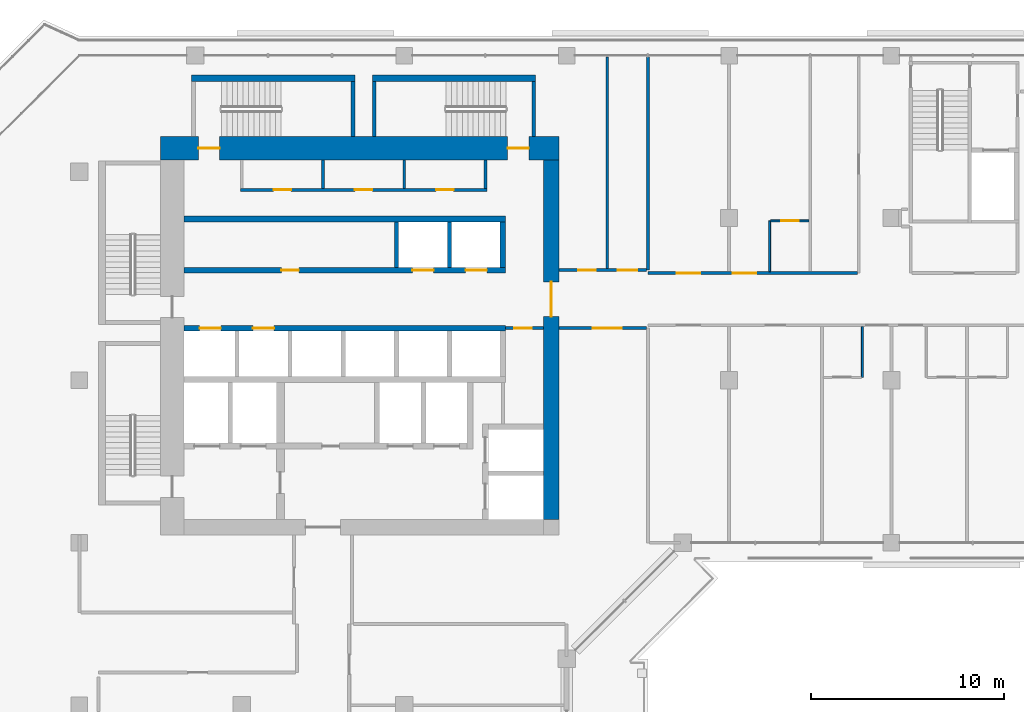
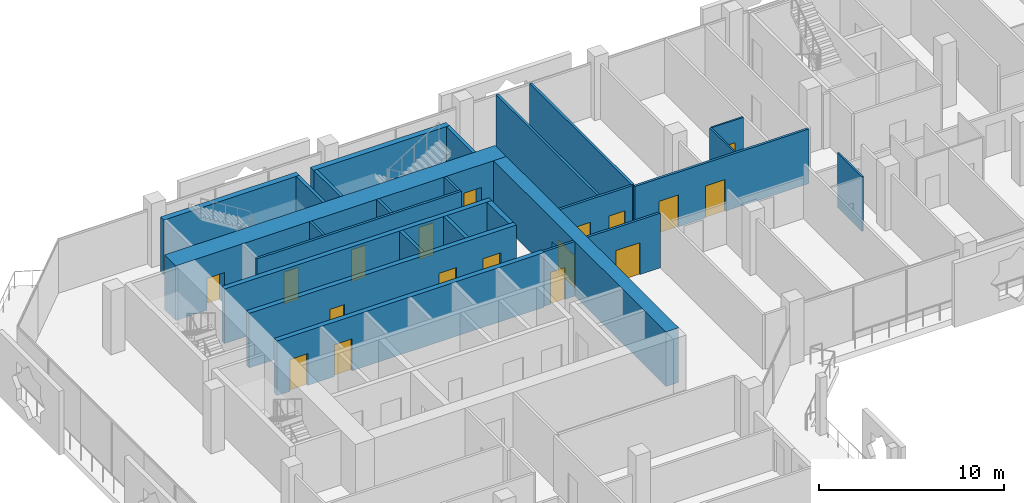
# One storey, part 12 of 21: 26 walls, 18 doors, 18 openings.
"""IFC4 building model written with IfcOpenShell, lengths in metres."""

from ifc_helpers import new_model, si_unit, direction, frame, frame_2d, origin, place, context, subcontext, project, spatial, rectangle, extrude, material, layer, layer_set, type_object, element, fill, save


model = new_model("IFC4")

# Units and contexts
model_context = context("Model", 3, precision=1e-05, world=origin(), true_north=direction((0.0, 1.0)))
body_context = subcontext(model_context, "Body", "Model", "MODEL_VIEW")
ifc_project = project(units=[si_unit("LENGTHUNIT", "METRE"), si_unit("AREAUNIT", "SQUARE_METRE"), si_unit("VOLUMEUNIT", "CUBIC_METRE"), si_unit("PLANEANGLEUNIT", "RADIAN"), si_unit("MASSUNIT", "GRAM", prefix="KILO")], contexts=[model_context])

# Site, building, storey
site_placement = place(None, origin())
site = spatial("IfcSite", under=ifc_project, at=site_placement, CompositionType="ELEMENT")
building_placement = place(site_placement, origin())
building = spatial("IfcBuilding", under=site, at=building_placement, Name="Kawkab Arch Medical Tower", CompositionType="ELEMENT")
storey_placement = place(building_placement, frame((0.0, 0.0, 230.60009765625)))
storey = spatial("IfcBuildingStorey", under=building, at=storey_placement, Name="L53", CompositionType="ELEMENT", Elevation=230.60009765625)

# Wall, openings, doors
ifc_material_1 = material(Name="Concrete C50/60", Category="concrete")
ifc_layer_1 = layer(ifc_material_1, 1.199951171875)
ifc_layer_set_1 = layer_set([ifc_layer_1], Name="Concrete C50/60")
wall_type_1 = type_object("IfcWallType", Name="Core ring wall 1200 C50/60", PredefinedType="SHEAR", material=ifc_layer_set_1)
wall_1_placement = place(storey_placement, frame((4.199951171875, -4.800048828125, 0.0), z_axis=(0.0, 0.0, 1.0), x_axis=(1.0, 0.0, 0.0)))
wall_1 = element("IfcWall", 1, at=wall_1_placement, inside=storey, type_object=wall_type_1, Name="L53 core wall", PredefinedType="SHEAR", context=body_context, shape_type="SweptSolid", body=[
    extrude(rectangle(XDim=20.60009765625, YDim=1.199951171875, at=frame_2d((10.300048828125, 0.0))), origin(), (0.0, 0.0, 1.0), 3.599853515625),
])
opening_1_placement = place(wall_1_placement, frame((1.949951171875, 0.0, 0.0)))
opening_1 = element("IfcOpeningElement", 2, at=opening_1_placement, cuts=wall_1, Name="Opening SD", PredefinedType="OPENING", context=body_context, shape_type="SweptSolid", body=[
    extrude(rectangle(XDim=1.10009765625, YDim=2.10009765625, at=frame_2d((0.550048828125, 1.050048828125))), frame((0.0, 0.60986328125, 0.0), z_axis=(0.0, -1.0, 0.0), x_axis=(1.0, 0.0, 0.0)), (0.0, 0.0, 1.0), 1.219970703125),
])
opening_2_placement = place(wall_1_placement, frame((17.949951171875, 0.0, 0.0)))
opening_2 = element("IfcOpeningElement", 3, at=opening_2_placement, cuts=wall_1, Name="Opening SD", PredefinedType="OPENING", context=body_context, shape_type="SweptSolid", body=[
    extrude(rectangle(XDim=1.10009765625, YDim=2.10009765625, at=frame_2d((0.550048828125, 1.050048828125))), frame((0.0, 0.60986328125, 0.0), z_axis=(0.0, -1.0, 0.0), x_axis=(1.0, 0.0, 0.0)), (0.0, 0.0, 1.0), 1.219970703125),
])
ifc_material_2 = material(Name="Hollow metal fire door leaf")
door_type_1 = type_object("IfcDoorType", Name="Exit stair door 1100", OperationType="SINGLE_SWING_LEFT", PredefinedType="DOOR", material=ifc_material_2)
door_1_placement = place(opening_1_placement, origin())
door_1 = element("IfcDoor", 4, at=door_1_placement, inside=storey, type_object=door_type_1, Name="L53 Exit stair ST3 door", OperationType="SINGLE_SWING_LEFT", OverallHeight=2.10009765625, OverallWidth=1.10009765625, PredefinedType="DOOR", context=body_context, shape_type="SweptSolid", body=[
    extrude(rectangle(XDim=1.10009765625, YDim=2.10009765625, at=frame_2d((0.550048828125, 1.050048828125))), frame((0.0, 0.02490234375, 0.0), z_axis=(0.0, -1.0, 0.0), x_axis=(1.0, 0.0, 0.0)), (0.0, 0.0, 1.0), 0.050048828125),
])
fill(opening_1, door_1)
door_2_placement = place(opening_2_placement, origin())
door_2 = element("IfcDoor", 5, at=door_2_placement, inside=storey, type_object=door_type_1, Name="L53 Exit stair ST4 door", OperationType="SINGLE_SWING_LEFT", OverallHeight=2.10009765625, OverallWidth=1.10009765625, PredefinedType="DOOR", context=body_context, shape_type="SweptSolid", body=[
    extrude(rectangle(XDim=1.10009765625, YDim=2.10009765625, at=frame_2d((0.550048828125, 1.050048828125))), frame((0.0, 0.02490234375, 0.0), z_axis=(0.0, -1.0, 0.0), x_axis=(1.0, 0.0, 0.0)), (0.0, 0.0, 1.0), 0.050048828125),
])
fill(opening_2, door_2)

# Wall, opening, door
ifc_material_3 = material(Name="Concrete C50/60", Category="concrete")
ifc_layer_2 = layer(ifc_material_3, 0.800048828125)
ifc_layer_set_2 = layer_set([ifc_layer_2], Name="Concrete C50/60")
wall_type_2 = type_object("IfcWallType", Name="Core ring wall 800 C50/60", PredefinedType="SHEAR", material=ifc_layer_set_2)
wall_2_placement = place(storey_placement, frame((24.39990234375, -24.0, 0.0), z_axis=(0.0, 0.0, 1.0), x_axis=(0.0, 1.0, 0.0)))
wall_2 = element("IfcWall", 6, at=wall_2_placement, inside=storey, type_object=wall_type_2, Name="L53 core wall", PredefinedType="SHEAR", context=body_context, shape_type="SweptSolid", body=[
    extrude(rectangle(XDim=18.60009765625, YDim=0.800048828125, at=frame_2d((9.300048828125, 0.0))), origin(), (0.0, 0.0, 1.0), 3.599853515625),
])
opening_3_placement = place(wall_2_placement, frame((10.5, 0.0, 0.0)))
opening_3 = element("IfcOpeningElement", 7, at=opening_3_placement, cuts=wall_2, Name="Opening PD", PredefinedType="OPENING", context=body_context, shape_type="SweptSolid", body=[
    extrude(rectangle(XDim=1.800048828125, YDim=2.10009765625, at=frame_2d((0.89990234375, 1.050048828125))), frame((0.0, 0.409912109375, 0.0), z_axis=(0.0, -1.0, 0.0), x_axis=(1.0, 0.0, 0.0)), (0.0, 0.0, 1.0), 0.820068359375),
])
ifc_material_4 = material(Name="Hollow metal fire door leaf")
door_type_2 = type_object("IfcDoorType", Name="Core entrance doors 1800", OperationType="DOUBLE_DOOR_SINGLE_SWING", PredefinedType="DOOR", material=ifc_material_4)
door_3_placement = place(opening_3_placement, origin())
door_3 = element("IfcDoor", 8, at=door_3_placement, inside=storey, type_object=door_type_2, Name="L53 East entrance doors", OperationType="DOUBLE_DOOR_SINGLE_SWING", OverallHeight=2.10009765625, OverallWidth=1.800048828125, PredefinedType="DOOR", context=body_context, shape_type="SweptSolid", body=[
    extrude(rectangle(XDim=1.800048828125, YDim=2.10009765625, at=frame_2d((0.89990234375, 1.050048828125))), frame((0.0, 0.02490234375, 0.0), z_axis=(0.0, -1.0, 0.0), x_axis=(1.0, 0.0, 0.0)), (0.0, 0.0, 1.0), 0.050048828125),
])
fill(opening_3, door_3)

ifc_material_5 = material(Name="Gypsum board on steel studs", Category="steel")
ifc_layer_3 = layer(ifc_material_5, 0.14990234375)
ifc_layer_set_3 = layer_set([ifc_layer_3], Name="Gypsum board on steel studs")
wall_type_3 = type_object("IfcWallType", Name="Core room partition 150", PredefinedType="PARTITIONING", material=ifc_layer_set_3)
wall_3_placement = place(storey_placement, frame((22.050048828125, -14.10009765625, 0.0), z_axis=(0.0, 0.0, 1.0), x_axis=(1.0, 0.0, 0.0)))
wall_3 = element("IfcWall", 9, at=wall_3_placement, inside=storey, type_object=wall_type_3, Name="L53 core room partition", PredefinedType="PARTITIONING", context=body_context, shape_type="SweptSolid", body=[
    extrude(rectangle(XDim=1.949951171875, YDim=0.14990234375, at=frame_2d((0.97509765625, 0.0))), origin(), (0.0, 0.0, 1.0), 3.599853515625),
])
opening_4_placement = place(wall_3_placement, frame((0.449951171875, 0.0, 0.0)))
opening_4 = element("IfcOpeningElement", 10, at=opening_4_placement, cuts=wall_3, Name="Opening RD", PredefinedType="OPENING", context=body_context, shape_type="SweptSolid", body=[
    extrude(rectangle(XDim=0.89990234375, YDim=2.10009765625, at=frame_2d((0.449951171875, 1.050048828125))), frame((0.0, 0.0849609375, 0.0), z_axis=(0.0, -1.0, 0.0), x_axis=(1.0, 0.0, 0.0)), (0.0, 0.0, 1.0), 0.169921875),
])
ifc_material_6 = material(Name="Hollow metal fire door leaf")
door_type_3 = type_object("IfcDoorType", Name="Core room door 900", OperationType="SINGLE_SWING_LEFT", PredefinedType="DOOR", material=ifc_material_6)
door_4_placement = place(opening_4_placement, origin())
door_4 = element("IfcDoor", 11, at=door_4_placement, inside=storey, type_object=door_type_3, Name="L53 Clean utility room door", OperationType="SINGLE_SWING_LEFT", OverallHeight=2.10009765625, OverallWidth=0.89990234375, PredefinedType="DOOR", context=body_context, shape_type="SweptSolid", body=[
    extrude(rectangle(XDim=0.89990234375, YDim=2.10009765625, at=frame_2d((0.449951171875, 1.050048828125))), frame((0.0, 0.02490234375, 0.0), z_axis=(0.0, -1.0, 0.0), x_axis=(1.0, 0.0, 0.0)), (0.0, 0.0, 1.0), 0.050048828125),
])
fill(opening_4, door_4)

# Wall, openings, doors
wall_4_placement = place(storey_placement, frame((8.324951171875, -6.949951171875, 0.0), z_axis=(0.0, 0.0, 1.0), x_axis=(1.0, 0.0, 0.0)))
wall_4 = element("IfcWall", 12, at=wall_4_placement, inside=storey, type_object=wall_type_3, Name="L53 core room partition", PredefinedType="PARTITIONING", context=body_context, shape_type="SweptSolid", body=[
    extrude(rectangle(XDim=12.75, YDim=0.14990234375, at=frame_2d((6.375, 0.0))), origin(), (0.0, 0.0, 1.0), 3.599853515625),
])
opening_5_placement = place(wall_4_placement, frame((1.72509765625, 0.0, 0.0)))
opening_5 = element("IfcOpeningElement", 13, at=opening_5_placement, cuts=wall_4, Name="Opening RD", PredefinedType="OPENING", context=body_context, shape_type="SweptSolid", body=[
    extrude(rectangle(XDim=0.89990234375, YDim=2.10009765625, at=frame_2d((0.449951171875, 1.050048828125))), frame((0.0, 0.0849609375, 0.0), z_axis=(0.0, -1.0, 0.0), x_axis=(1.0, 0.0, 0.0)), (0.0, 0.0, 1.0), 0.169921875),
])
opening_6_placement = place(wall_4_placement, frame((5.925048828125, 0.0, 0.0)))
opening_6 = element("IfcOpeningElement", 14, at=opening_6_placement, cuts=wall_4, Name="Opening RD", PredefinedType="OPENING", context=body_context, shape_type="SweptSolid", body=[
    extrude(rectangle(XDim=0.89990234375, YDim=2.10009765625, at=frame_2d((0.449951171875, 1.050048828125))), frame((0.0, 0.0849609375, 0.0), z_axis=(0.0, -1.0, 0.0), x_axis=(1.0, 0.0, 0.0)), (0.0, 0.0, 1.0), 0.169921875),
])
opening_7_placement = place(wall_4_placement, frame((10.125, 0.0, 0.0)))
opening_7 = element("IfcOpeningElement", 15, at=opening_7_placement, cuts=wall_4, Name="Opening RD", PredefinedType="OPENING", context=body_context, shape_type="SweptSolid", body=[
    extrude(rectangle(XDim=0.89990234375, YDim=2.10009765625, at=frame_2d((0.449951171875, 1.050048828125))), frame((0.0, 0.0849609375, 0.0), z_axis=(0.0, -1.0, 0.0), x_axis=(1.0, 0.0, 0.0)), (0.0, 0.0, 1.0), 0.169921875),
])
door_5_placement = place(opening_5_placement, origin())
door_5 = element("IfcDoor", 16, at=door_5_placement, inside=storey, type_object=door_type_3, Name="L53 Electrical riser room door", OperationType="SINGLE_SWING_LEFT", OverallHeight=2.10009765625, OverallWidth=0.89990234375, PredefinedType="DOOR", context=body_context, shape_type="SweptSolid", body=[
    extrude(rectangle(XDim=0.89990234375, YDim=2.10009765625, at=frame_2d((0.449951171875, 1.050048828125))), frame((0.0, 0.02490234375, 0.0), z_axis=(0.0, -1.0, 0.0), x_axis=(1.0, 0.0, 0.0)), (0.0, 0.0, 1.0), 0.050048828125),
])
fill(opening_5, door_5)
door_6_placement = place(opening_6_placement, origin())
door_6 = element("IfcDoor", 17, at=door_6_placement, inside=storey, type_object=door_type_3, Name="L53 Equipment store door", OperationType="SINGLE_SWING_LEFT", OverallHeight=2.10009765625, OverallWidth=0.89990234375, PredefinedType="DOOR", context=body_context, shape_type="SweptSolid", body=[
    extrude(rectangle(XDim=0.89990234375, YDim=2.10009765625, at=frame_2d((0.449951171875, 1.050048828125))), frame((0.0, 0.02490234375, 0.0), z_axis=(0.0, -1.0, 0.0), x_axis=(1.0, 0.0, 0.0)), (0.0, 0.0, 1.0), 0.050048828125),
])
fill(opening_6, door_6)
door_7_placement = place(opening_7_placement, origin())
door_7 = element("IfcDoor", 18, at=door_7_placement, inside=storey, type_object=door_type_3, Name="L53 Sprinkler valve room door", OperationType="SINGLE_SWING_LEFT", OverallHeight=2.10009765625, OverallWidth=0.89990234375, PredefinedType="DOOR", context=body_context, shape_type="SweptSolid", body=[
    extrude(rectangle(XDim=0.89990234375, YDim=2.10009765625, at=frame_2d((0.449951171875, 1.050048828125))), frame((0.0, 0.02490234375, 0.0), z_axis=(0.0, -1.0, 0.0), x_axis=(1.0, 0.0, 0.0)), (0.0, 0.0, 1.0), 0.050048828125),
])
fill(opening_7, door_7)

# Walls
for number, where, z_axis, x_axis, name in (
    (19, (12.60009765625, -6.875, 0.0), (0.0, 0.0, 1.0), (0.0, 1.0, 0.0), "L53 core room partition"),
    (20, (16.800048828125, -6.875, 0.0), (0.0, 0.0, 1.0), (0.0, 1.0, 0.0), "L53 core room partition"),
    (21, (21.0, -6.875, 0.0), (0.0, 0.0, 1.0), (0.0, 1.0, 0.0), "L53 core room partition"),
):
    element("IfcWall", number, at=place(storey_placement, frame(where, z_axis=z_axis, x_axis=x_axis)), inside=storey, type_object=wall_type_3, Name=name, PredefinedType="PARTITIONING", context=body_context, shape_type="SweptSolid", body=[
        extrude(rectangle(XDim=1.47509765625, YDim=0.14990234375, at=frame_2d((0.737548828125, 0.0))), origin(), (0.0, 0.0, 1.0), 3.599853515625),
    ])
ifc_material_7 = material(Name="Concrete C60/75", Category="concrete")
ifc_layer_4 = layer(ifc_material_7, 0.300048828125)
ifc_layer_set_4 = layer_set([ifc_layer_4], Name="Concrete C60/75")
wall_type_4 = type_object("IfcWallType", Name="Core shear wall 300 C60/75", PredefinedType="SHEAR", material=ifc_layer_set_4)
wall_5_placement = place(storey_placement, frame((5.39990234375, -8.449951171875, 0.0), z_axis=(0.0, 0.0, 1.0), x_axis=(1.0, 0.0, 0.0)))
element("IfcWall", 22, at=wall_5_placement, inside=storey, type_object=wall_type_4, Name="L53 core shear wall", PredefinedType="SHEAR", context=body_context, shape_type="SweptSolid", body=[
    extrude(rectangle(XDim=16.650146484375, YDim=0.300048828125, at=frame_2d((8.3251953125, 0.0))), origin(), (0.0, 0.0, 1.0), 3.599853515625),
])

# Wall, openings, doors
wall_6_placement = place(storey_placement, frame((5.39990234375, -11.10009765625, 0.0), z_axis=(0.0, 0.0, 1.0), x_axis=(1.0, 0.0, 0.0)))
wall_6 = element("IfcWall", 23, at=wall_6_placement, inside=storey, type_object=wall_type_4, Name="L53 core shear wall", PredefinedType="SHEAR", context=body_context, shape_type="SweptSolid", body=[
    extrude(rectangle(XDim=16.650146484375, YDim=0.300048828125, at=frame_2d((8.3251953125, 0.0))), origin(), (0.0, 0.0, 1.0), 3.599853515625),
])
opening_8_placement = place(wall_6_placement, frame((11.824951171875, 0.0, 0.0)))
opening_8 = element("IfcOpeningElement", 24, at=opening_8_placement, cuts=wall_6, Name="Opening LD1", PredefinedType="OPENING", context=body_context, shape_type="SweptSolid", body=[
    extrude(rectangle(XDim=1.10009765625, YDim=2.10009765625, at=frame_2d((0.550048828125, 1.050048828125))), frame((0.0, 0.159912109375, 0.0), z_axis=(0.0, -1.0, 0.0), x_axis=(1.0, 0.0, 0.0)), (0.0, 0.0, 1.0), 0.320068359375),
])
opening_9_placement = place(wall_6_placement, frame((14.574951171875, 0.0, 0.0)))
opening_9 = element("IfcOpeningElement", 25, at=opening_9_placement, cuts=wall_6, Name="Opening LD1", PredefinedType="OPENING", context=body_context, shape_type="SweptSolid", body=[
    extrude(rectangle(XDim=1.10009765625, YDim=2.10009765625, at=frame_2d((0.550048828125, 1.050048828125))), frame((0.0, 0.159912109375, 0.0), z_axis=(0.0, -1.0, 0.0), x_axis=(1.0, 0.0, 0.0)), (0.0, 0.0, 1.0), 0.320068359375),
])
opening_10_placement = place(wall_6_placement, frame((5.050048828125, 0.0, 0.0)))
opening_10 = element("IfcOpeningElement", 26, at=opening_10_placement, cuts=wall_6, Name="Opening RD", PredefinedType="OPENING", context=body_context, shape_type="SweptSolid", body=[
    extrude(rectangle(XDim=0.89990234375, YDim=2.10009765625, at=frame_2d((0.449951171875, 1.050048828125))), frame((0.0, 0.159912109375, 0.0), z_axis=(0.0, -1.0, 0.0), x_axis=(1.0, 0.0, 0.0)), (0.0, 0.0, 1.0), 0.320068359375),
])
door_8_placement = place(opening_10_placement, origin())
door_8 = element("IfcDoor", 27, at=door_8_placement, inside=storey, type_object=door_type_3, Name="L53 Data room door", OperationType="SINGLE_SWING_LEFT", OverallHeight=2.10009765625, OverallWidth=0.89990234375, PredefinedType="DOOR", context=body_context, shape_type="SweptSolid", body=[
    extrude(rectangle(XDim=0.89990234375, YDim=2.10009765625, at=frame_2d((0.449951171875, 1.050048828125))), frame((0.0, 0.02490234375, 0.0), z_axis=(0.0, -1.0, 0.0), x_axis=(1.0, 0.0, 0.0)), (0.0, 0.0, 1.0), 0.050048828125),
])
fill(opening_10, door_8)
ifc_material_8 = material(Name="Stainless steel lift door leaf", Category="steel")
door_type_4 = type_object("IfcDoorType", Name="Lift landing door 1100", OperationType="DOUBLE_DOOR_SLIDING", PredefinedType="DOOR", material=ifc_material_8)
door_9_placement = place(opening_8_placement, origin())
door_9 = element("IfcDoor", 28, at=door_9_placement, inside=storey, type_object=door_type_4, Name="L53 Lift landing door MP1", OperationType="DOUBLE_DOOR_SLIDING", OverallHeight=2.10009765625, OverallWidth=1.10009765625, PredefinedType="DOOR", context=body_context, shape_type="SweptSolid", body=[
    extrude(rectangle(XDim=1.10009765625, YDim=2.10009765625, at=frame_2d((0.550048828125, 1.050048828125))), frame((0.0, 0.02490234375, 0.0), z_axis=(0.0, -1.0, 0.0), x_axis=(1.0, 0.0, 0.0)), (0.0, 0.0, 1.0), 0.050048828125),
])
fill(opening_8, door_9)
door_10_placement = place(opening_9_placement, origin())
door_10 = element("IfcDoor", 29, at=door_10_placement, inside=storey, type_object=door_type_4, Name="L53 Lift landing door MP2", OperationType="DOUBLE_DOOR_SLIDING", OverallHeight=2.10009765625, OverallWidth=1.10009765625, PredefinedType="DOOR", context=body_context, shape_type="SweptSolid", body=[
    extrude(rectangle(XDim=1.10009765625, YDim=2.10009765625, at=frame_2d((0.550048828125, 1.050048828125))), frame((0.0, 0.02490234375, 0.0), z_axis=(0.0, -1.0, 0.0), x_axis=(1.0, 0.0, 0.0)), (0.0, 0.0, 1.0), 0.050048828125),
])
fill(opening_9, door_10)

wall_7_placement = place(storey_placement, frame((5.39990234375, -14.10009765625, 0.0), z_axis=(0.0, 0.0, 1.0), x_axis=(1.0, 0.0, 0.0)))
wall_7 = element("IfcWall", 30, at=wall_7_placement, inside=storey, type_object=wall_type_4, Name="L53 core shear wall", PredefinedType="SHEAR", context=body_context, shape_type="SweptSolid", body=[
    extrude(rectangle(XDim=16.650146484375, YDim=0.300048828125, at=frame_2d((8.3251953125, 0.0))), origin(), (0.0, 0.0, 1.0), 3.599853515625),
])
opening_11_placement = place(wall_7_placement, frame((0.824951171875, 0.0, 0.0)))
opening_11 = element("IfcOpeningElement", 31, at=opening_11_placement, cuts=wall_7, Name="Opening LD1", PredefinedType="OPENING", context=body_context, shape_type="SweptSolid", body=[
    extrude(rectangle(XDim=1.10009765625, YDim=2.10009765625, at=frame_2d((0.550048828125, 1.050048828125))), frame((0.0, 0.159912109375, 0.0), z_axis=(0.0, -1.0, 0.0), x_axis=(1.0, 0.0, 0.0)), (0.0, 0.0, 1.0), 0.320068359375),
])
opening_12_placement = place(wall_7_placement, frame((3.574951171875, 0.0, 0.0)))
opening_12 = element("IfcOpeningElement", 32, at=opening_12_placement, cuts=wall_7, Name="Opening LD1", PredefinedType="OPENING", context=body_context, shape_type="SweptSolid", body=[
    extrude(rectangle(XDim=1.10009765625, YDim=2.10009765625, at=frame_2d((0.550048828125, 1.050048828125))), frame((0.0, 0.159912109375, 0.0), z_axis=(0.0, -1.0, 0.0), x_axis=(1.0, 0.0, 0.0)), (0.0, 0.0, 1.0), 0.320068359375),
])
door_11_placement = place(opening_11_placement, origin())
door_11 = element("IfcDoor", 33, at=door_11_placement, inside=storey, type_object=door_type_4, Name="L53 Lift landing door MP3", OperationType="DOUBLE_DOOR_SLIDING", OverallHeight=2.10009765625, OverallWidth=1.10009765625, PredefinedType="DOOR", context=body_context, shape_type="SweptSolid", body=[
    extrude(rectangle(XDim=1.10009765625, YDim=2.10009765625, at=frame_2d((0.550048828125, 1.050048828125))), frame((0.0, 0.02490234375, 0.0), z_axis=(0.0, -1.0, 0.0), x_axis=(1.0, 0.0, 0.0)), (0.0, 0.0, 1.0), 0.050048828125),
])
fill(opening_11, door_11)
door_12_placement = place(opening_12_placement, origin())
door_12 = element("IfcDoor", 34, at=door_12_placement, inside=storey, type_object=door_type_4, Name="L53 Lift landing door MP4", OperationType="DOUBLE_DOOR_SLIDING", OverallHeight=2.10009765625, OverallWidth=1.10009765625, PredefinedType="DOOR", context=body_context, shape_type="SweptSolid", body=[
    extrude(rectangle(XDim=1.10009765625, YDim=2.10009765625, at=frame_2d((0.550048828125, 1.050048828125))), frame((0.0, 0.02490234375, 0.0), z_axis=(0.0, -1.0, 0.0), x_axis=(1.0, 0.0, 0.0)), (0.0, 0.0, 1.0), 0.050048828125),
])
fill(opening_12, door_12)

# Walls
wall_8_placement = place(storey_placement, frame((21.89990234375, -10.949951171875, 0.0), z_axis=(0.0, 0.0, 1.0), x_axis=(0.0, 1.0, 0.0)))
element("IfcWall", 35, at=wall_8_placement, inside=storey, type_object=wall_type_4, Name="L53 core shear wall", PredefinedType="SHEAR", context=body_context, shape_type="SweptSolid", body=[
    extrude(rectangle(XDim=2.349853515625, YDim=0.300048828125, at=frame_2d((1.1748046875, 0.0))), origin(), (0.0, 0.0, 1.0), 3.599853515625),
])
ifc_material_9 = material(Name="Dense concrete blockwork", Category="masonry")
ifc_layer_5 = layer(ifc_material_9, 0.199951171875)
ifc_layer_set_5 = layer_set([ifc_layer_5], Name="Dense concrete blockwork")
wall_type_5 = type_object("IfcWallType", Name="Lift shaft partition 200", PredefinedType="PARTITIONING", material=ifc_layer_set_5)
for number, where, z_axis, x_axis, name in (
    (36, (16.39990234375, -10.949951171875, 0.0), (0.0, 0.0, 1.0), (0.0, 1.0, 0.0), "L53 lift shaft partition"),
    (37, (19.14990234375, -10.949951171875, 0.0), (0.0, 0.0, 1.0), (0.0, 1.0, 0.0), "L53 lift shaft partition"),
):
    element("IfcWall", number, at=place(storey_placement, frame(where, z_axis=z_axis, x_axis=x_axis)), inside=storey, type_object=wall_type_5, Name=name, PredefinedType="PARTITIONING", context=body_context, shape_type="SweptSolid", body=[
        extrude(rectangle(XDim=2.349853515625, YDim=0.199951171875, at=frame_2d((1.1748046875, 0.0))), origin(), (0.0, 0.0, 1.0), 3.599853515625),
    ])

# Wall, opening, door
ifc_material_10 = material(Name="Gypsum board partition on steel studs", Category="steel")
ifc_layer_6 = layer(ifc_material_10, 0.10009765625)
ifc_layer_set_6 = layer_set([ifc_layer_6], Name="Gypsum board partition on steel studs")
wall_type_6 = type_object("IfcWallType", Name="Partition 100", PredefinedType="PARTITIONING", material=ifc_layer_set_6)
wall_9_placement = place(storey_placement, frame((35.75, -8.550048828125, 0.0), z_axis=(0.0, 0.0, 1.0), x_axis=(1.0, 0.0, 0.0)))
wall_9 = element("IfcWall", 38, at=wall_9_placement, inside=storey, type_object=wall_type_6, Name="Partition 100 w004", PredefinedType="PARTITIONING", context=body_context, shape_type="SweptSolid", body=[
    extrude(rectangle(XDim=1.97509765625, YDim=0.10009765625, at=frame_2d((0.987548828125, 0.0))), origin(), (0.0, 0.0, 1.0), 3.599853515625),
])
opening_13_placement = place(wall_9_placement, frame((0.550048828125, 0.0, 0.0)))
opening_13 = element("IfcOpeningElement", 39, at=opening_13_placement, cuts=wall_9, Name="Opening W53-003", PredefinedType="OPENING", context=body_context, shape_type="SweptSolid", body=[
    extrude(rectangle(XDim=0.89990234375, YDim=2.10009765625, at=frame_2d((0.449951171875, 1.050048828125))), frame((0.0, 0.06005859375, 0.0), z_axis=(0.0, -1.0, 0.0), x_axis=(1.0, 0.0, 0.0)), (0.0, 0.0, 1.0), 0.1201171875),
])
ifc_material_11 = material(Name="Timber door leaf", Category="wood")
door_type_5 = type_object("IfcDoorType", Name="Single door 900x2100", OperationType="NOTDEFINED", PredefinedType="DOOR", material=ifc_material_11)
door_13_placement = place(opening_13_placement, origin())
door_13 = element("IfcDoor", 40, at=door_13_placement, inside=storey, type_object=door_type_5, Name="Door W53-003", OperationType="SINGLE_SWING_LEFT", OverallHeight=2.10009765625, OverallWidth=0.89990234375, PredefinedType="DOOR", context=body_context, shape_type="SweptSolid", body=[
    extrude(rectangle(XDim=0.89990234375, YDim=2.10009765625, at=frame_2d((0.449951171875, 1.050048828125))), frame((0.0, 0.02490234375, 0.0), z_axis=(0.0, -1.0, 0.0), x_axis=(1.0, 0.0, 0.0)), (0.0, 0.0, 1.0), 0.050048828125),
])
fill(opening_13, door_13)

# Walls
for number, where, z_axis, x_axis, name in (
    (41, (35.699951171875, -11.175048828125, 0.0), (0.0, 0.0, 1.0), (0.0, 1.0, 0.0), "Partition 100 w006"),
    (42, (40.5, -16.64990234375, 0.0), (0.0, 0.0, 1.0), (0.0, 1.0, 0.0), "Partition 100 w007"),
):
    element("IfcWall", number, at=place(storey_placement, frame(where, z_axis=z_axis, x_axis=x_axis)), inside=storey, type_object=wall_type_6, Name=name, PredefinedType="PARTITIONING", context=body_context, shape_type="SweptSolid", body=[
        extrude(rectangle(XDim=2.625, YDim=0.10009765625, at=frame_2d((1.3125, 0.0))), origin(), (0.0, 0.0, 1.0), 3.599853515625),
    ])

# Wall, opening, door
ifc_material_12 = material(Name="Gypsum board partition on steel studs, mineral wool", Category="steel")
ifc_layer_7 = layer(ifc_material_12, 0.14990234375)
ifc_layer_set_7 = layer_set([ifc_layer_7], Name="Gypsum board partition on steel studs, mineral wool")
wall_type_7 = type_object("IfcWallType", Name="Partition 150", PredefinedType="PARTITIONING", material=ifc_layer_set_7)
wall_10_placement = place(storey_placement, frame((24.800048828125, -14.10009765625, 0.0), z_axis=(0.0, 0.0, 1.0), x_axis=(1.0, 0.0, 0.0)))
wall_10 = element("IfcWall", 43, at=wall_10_placement, inside=storey, type_object=wall_type_7, Name="Partition 150 w022", PredefinedType="PARTITIONING", context=body_context, shape_type="SweptSolid", body=[
    extrude(rectangle(XDim=4.52490234375, YDim=0.14990234375, at=frame_2d((2.262451171875, 0.0))), origin(), (0.0, 0.0, 1.0), 3.599853515625),
])
opening_14_placement = place(wall_10_placement, frame((1.75, 0.0, 0.0)))
opening_14 = element("IfcOpeningElement", 44, at=opening_14_placement, cuts=wall_10, Name="Opening W53-001", PredefinedType="OPENING", context=body_context, shape_type="SweptSolid", body=[
    extrude(rectangle(XDim=1.5, YDim=2.10009765625, at=frame_2d((0.75, 1.050048828125))), frame((0.0, 0.0849609375, 0.0), z_axis=(0.0, -1.0, 0.0), x_axis=(1.0, 0.0, 0.0)), (0.0, 0.0, 1.0), 0.169921875),
])
ifc_material_13 = material(Name="Hollow metal door leaf")
door_type_6 = type_object("IfcDoorType", Name="Double door 1500x2100 FD30S", OperationType="NOTDEFINED", PredefinedType="DOOR", material=ifc_material_13)
door_14_placement = place(opening_14_placement, origin())
door_14 = element("IfcDoor", 45, at=door_14_placement, inside=storey, type_object=door_type_6, Name="Door W53-001", OperationType="DOUBLE_DOOR_SINGLE_SWING", OverallHeight=2.10009765625, OverallWidth=1.5, PredefinedType="DOOR", context=body_context, shape_type="SweptSolid", body=[
    extrude(rectangle(XDim=1.5, YDim=2.10009765625, at=frame_2d((0.75, 1.050048828125))), frame((0.0, 0.02490234375, 0.0), z_axis=(0.0, -1.0, 0.0), x_axis=(1.0, 0.0, 0.0)), (0.0, 0.0, 1.0), 0.050048828125),
])
fill(opening_14, door_14)

# Wall, openings, doors
wall_11_placement = place(storey_placement, frame((29.39990234375, -11.25, 0.0), z_axis=(0.0, 0.0, 1.0), x_axis=(1.0, 0.0, 0.0)))
wall_11 = element("IfcWall", 46, at=wall_11_placement, inside=storey, type_object=wall_type_7, Name="Partition 150 w024", PredefinedType="PARTITIONING", context=body_context, shape_type="SweptSolid", body=[
    extrude(rectangle(XDim=10.83203125, YDim=0.14990234375, at=frame_2d((5.416015625, 0.0))), origin(), (0.0, 0.0, 1.0), 3.599853515625),
])
opening_15_placement = place(wall_11_placement, frame((4.39990234375, 0.0, 0.0)))
opening_15 = element("IfcOpeningElement", 47, at=opening_15_placement, cuts=wall_11, Name="Opening W53-024", PredefinedType="OPENING", context=body_context, shape_type="SweptSolid", body=[
    extrude(rectangle(XDim=1.199951171875, YDim=2.10009765625, at=frame_2d((0.60009765625, 1.050048828125))), frame((0.0, 0.0849609375, 0.0), z_axis=(0.0, -1.0, 0.0), x_axis=(1.0, 0.0, 0.0)), (0.0, 0.0, 1.0), 0.169921875),
])
opening_16_placement = place(wall_11_placement, frame((1.5, 0.0, 0.0)))
opening_16 = element("IfcOpeningElement", 48, at=opening_16_placement, cuts=wall_11, Name="Opening W53-031", PredefinedType="OPENING", context=body_context, shape_type="SweptSolid", body=[
    extrude(rectangle(XDim=1.199951171875, YDim=2.10009765625, at=frame_2d((0.60009765625, 1.050048828125))), frame((0.0, 0.0849609375, 0.0), z_axis=(0.0, -1.0, 0.0), x_axis=(1.0, 0.0, 0.0)), (0.0, 0.0, 1.0), 0.169921875),
])
ifc_material_14 = material(Name="Hollow metal door leaf")
door_type_7 = type_object("IfcDoorType", Name="Single door 1200x2100 FD30S", OperationType="NOTDEFINED", PredefinedType="DOOR", material=ifc_material_14)
door_15_placement = place(opening_15_placement, origin())
door_15 = element("IfcDoor", 49, at=door_15_placement, inside=storey, type_object=door_type_7, Name="Door W53-024", OperationType="SINGLE_SWING_LEFT", OverallHeight=2.10009765625, OverallWidth=1.199951171875, PredefinedType="DOOR", context=body_context, shape_type="SweptSolid", body=[
    extrude(rectangle(XDim=1.199951171875, YDim=2.10009765625, at=frame_2d((0.60009765625, 1.050048828125))), frame((0.0, 0.02490234375, 0.0), z_axis=(0.0, -1.0, 0.0), x_axis=(1.0, 0.0, 0.0)), (0.0, 0.0, 1.0), 0.050048828125),
])
fill(opening_15, door_15)
door_16_placement = place(opening_16_placement, origin())
door_16 = element("IfcDoor", 50, at=door_16_placement, inside=storey, type_object=door_type_7, Name="Door W53-031", OperationType="SINGLE_SWING_LEFT", OverallHeight=2.10009765625, OverallWidth=1.199951171875, PredefinedType="DOOR", context=body_context, shape_type="SweptSolid", body=[
    extrude(rectangle(XDim=1.199951171875, YDim=2.10009765625, at=frame_2d((0.60009765625, 1.050048828125))), frame((0.0, 0.02490234375, 0.0), z_axis=(0.0, -1.0, 0.0), x_axis=(1.0, 0.0, 0.0)), (0.0, 0.0, 1.0), 0.050048828125),
])
fill(opening_16, door_16)

wall_12_placement = place(storey_placement, frame((24.800048828125, -11.10009765625, 0.0), z_axis=(0.0, 0.0, 1.0), x_axis=(1.0, 0.0, 0.0)))
wall_12 = element("IfcWall", 51, at=wall_12_placement, inside=storey, type_object=wall_type_7, Name="Partition 150 w027", PredefinedType="PARTITIONING", context=body_context, shape_type="SweptSolid", body=[
    extrude(rectangle(XDim=4.52490234375, YDim=0.14990234375, at=frame_2d((2.262451171875, 0.0))), origin(), (0.0, 0.0, 1.0), 3.599853515625),
])
opening_17_placement = place(wall_12_placement, frame((1.0, 0.0, 0.0)))
opening_17 = element("IfcOpeningElement", 52, at=opening_17_placement, cuts=wall_12, Name="Opening W53-009", PredefinedType="OPENING", context=body_context, shape_type="SweptSolid", body=[
    extrude(rectangle(XDim=0.89990234375, YDim=2.10009765625, at=frame_2d((0.449951171875, 1.050048828125))), frame((0.0, 0.0849609375, 0.0), z_axis=(0.0, -1.0, 0.0), x_axis=(1.0, 0.0, 0.0)), (0.0, 0.0, 1.0), 0.169921875),
])
opening_18_placement = place(wall_12_placement, frame((3.050048828125, 0.0, 0.0)))
opening_18 = element("IfcOpeningElement", 53, at=opening_18_placement, cuts=wall_12, Name="Opening W53-010", PredefinedType="OPENING", context=body_context, shape_type="SweptSolid", body=[
    extrude(rectangle(XDim=1.0, YDim=2.10009765625, at=frame_2d((0.5, 1.050048828125))), frame((0.0, 0.0849609375, 0.0), z_axis=(0.0, -1.0, 0.0), x_axis=(1.0, 0.0, 0.0)), (0.0, 0.0, 1.0), 0.169921875),
])
ifc_material_15 = material(Name="Timber door leaf", Category="wood")
door_type_8 = type_object("IfcDoorType", Name="Single door 1000x2100", OperationType="NOTDEFINED", PredefinedType="DOOR", material=ifc_material_15)
door_17_placement = place(opening_18_placement, origin())
door_17 = element("IfcDoor", 54, at=door_17_placement, inside=storey, type_object=door_type_8, Name="Door W53-010", OperationType="SINGLE_SWING_RIGHT", OverallHeight=2.10009765625, OverallWidth=1.0, PredefinedType="DOOR", context=body_context, shape_type="SweptSolid", body=[
    extrude(rectangle(XDim=1.0, YDim=2.10009765625, at=frame_2d((0.5, 1.050048828125))), frame((0.0, 0.02490234375, 0.0), z_axis=(0.0, -1.0, 0.0), x_axis=(1.0, 0.0, 0.0)), (0.0, 0.0, 1.0), 0.050048828125),
])
fill(opening_18, door_17)
door_18_placement = place(opening_17_placement, origin())
door_18 = element("IfcDoor", 55, at=door_18_placement, inside=storey, type_object=door_type_5, Name="Door W53-009", OperationType="SINGLE_SWING_LEFT", OverallHeight=2.10009765625, OverallWidth=0.89990234375, PredefinedType="DOOR", context=body_context, shape_type="SweptSolid", body=[
    extrude(rectangle(XDim=0.89990234375, YDim=2.10009765625, at=frame_2d((0.449951171875, 1.050048828125))), frame((0.0, 0.02490234375, 0.0), z_axis=(0.0, -1.0, 0.0), x_axis=(1.0, 0.0, 0.0)), (0.0, 0.0, 1.0), 0.050048828125),
])
fill(opening_17, door_18)

# Walls
wall_13_placement = place(storey_placement, frame((27.300048828125, -11.02490234375, 0.0), z_axis=(0.0, 0.0, 1.0), x_axis=(0.0, 1.0, 0.0)))
element("IfcWall", 56, at=wall_13_placement, inside=storey, type_object=wall_type_7, Name="Partition 150 w043", PredefinedType="PARTITIONING", context=body_context, shape_type="SweptSolid", body=[
    extrude(rectangle(XDim=10.94482421875, YDim=0.14990234375, at=frame_2d((5.472412109375, 0.0))), origin(), (0.0, 0.0, 1.0), 3.599853515625),
])
wall_14_placement = place(storey_placement, frame((29.39990234375, -11.10009765625, 0.0), z_axis=(0.0, 0.0, 1.0), x_axis=(0.0, 1.0, 0.0)))
element("IfcWall", 57, at=wall_14_placement, inside=storey, type_object=wall_type_7, Name="Partition 150 w045", PredefinedType="PARTITIONING", context=body_context, shape_type="SweptSolid", body=[
    extrude(rectangle(XDim=11.02001953125, YDim=0.14990234375, at=frame_2d((5.510009765625, 0.0))), origin(), (0.0, 0.0, 1.0), 3.599853515625),
])
ifc_material_16 = material(Name="Concrete C50/60", Category="concrete")
ifc_layer_8 = layer(ifc_material_16, 0.199951171875)
ifc_layer_set_8 = layer_set([ifc_layer_8], Name="Concrete C50/60")
wall_type_8 = type_object("IfcWallType", Name="Stair enclosure wall 200 C50/60", PredefinedType="SHEAR", material=ifc_layer_set_8)
for number, where, z_axis, x_axis, name in (
    (58, (14.14990234375, -4.199951171875, 0.0), (0.0, 0.0, 1.0), (0.0, 1.0, 0.0), "L53 stair enclosure wall"),
    (59, (15.25, -4.199951171875, 0.0), (0.0, 0.0, 1.0), (0.0, 1.0, 0.0), "L53 stair enclosure wall"),
    (60, (23.5, -4.199951171875, 0.0), (0.0, 0.0, 1.0), (0.0, 1.0, 0.0), "L53 stair enclosure wall"),
):
    element("IfcWall", number, at=place(storey_placement, frame(where, z_axis=z_axis, x_axis=x_axis)), inside=storey, type_object=wall_type_8, Name=name, PredefinedType="SHEAR", context=body_context, shape_type="SweptSolid", body=[
        extrude(rectangle(XDim=2.849853515625, YDim=0.199951171875, at=frame_2d((1.4248046875, 0.0))), origin(), (0.0, 0.0, 1.0), 3.599853515625),
    ])
ifc_material_17 = material(Name="Concrete C50/60", Category="concrete")
ifc_layer_9 = layer(ifc_material_17, 0.35009765625)
ifc_layer_set_9 = layer_set([ifc_layer_9], Name="Concrete C50/60")
wall_type_9 = type_object("IfcWallType", Name="Stair enclosure wall 350 C50/60", PredefinedType="SHEAR", material=ifc_layer_set_9)
wall_15_placement = place(storey_placement, frame((5.800048828125, -1.175048828125, 0.0), z_axis=(0.0, 0.0, 1.0), x_axis=(1.0, 0.0, 0.0)))
element("IfcWall", 61, at=wall_15_placement, inside=storey, type_object=wall_type_9, Name="L53 stair enclosure wall", PredefinedType="SHEAR", context=body_context, shape_type="SweptSolid", body=[
    extrude(rectangle(XDim=8.449951171875, YDim=0.35009765625, at=frame_2d((4.22509765625, 0.0))), origin(), (0.0, 0.0, 1.0), 3.599853515625),
])
wall_16_placement = place(storey_placement, frame((15.14990234375, -1.175048828125, 0.0), z_axis=(0.0, 0.0, 1.0), x_axis=(1.0, 0.0, 0.0)))
element("IfcWall", 62, at=wall_16_placement, inside=storey, type_object=wall_type_9, Name="L53 stair enclosure wall", PredefinedType="SHEAR", context=body_context, shape_type="SweptSolid", body=[
    extrude(rectangle(XDim=8.4501953125, YDim=0.35009765625, at=frame_2d((4.22509765625, 0.0))), origin(), (0.0, 0.0, 1.0), 3.599853515625),
])

save(model, "model.ifc")
